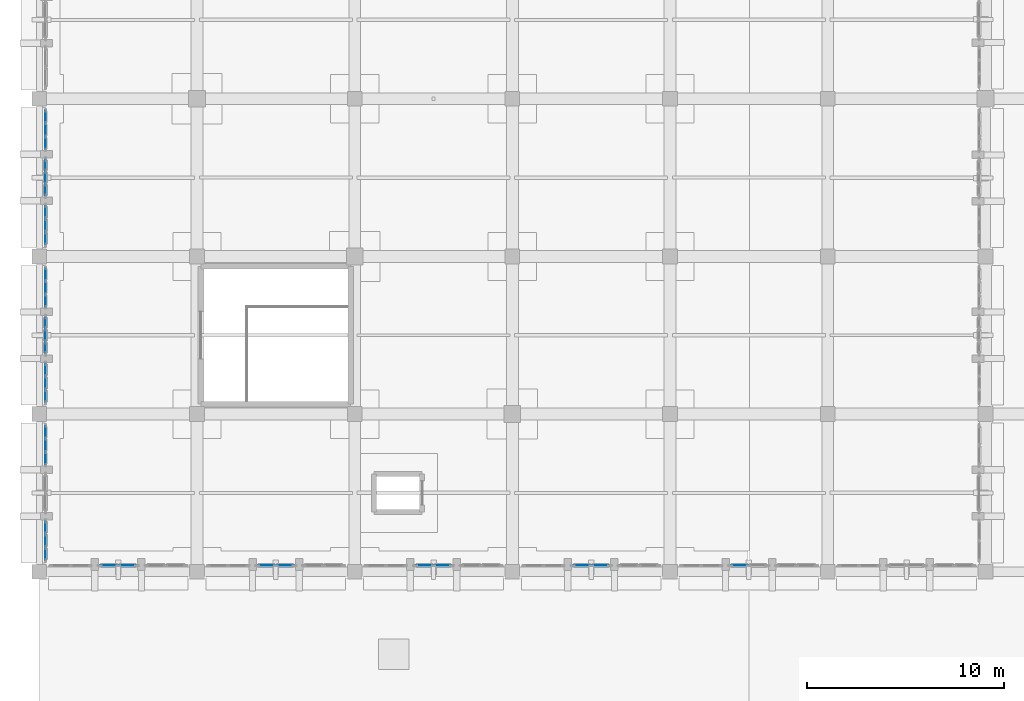
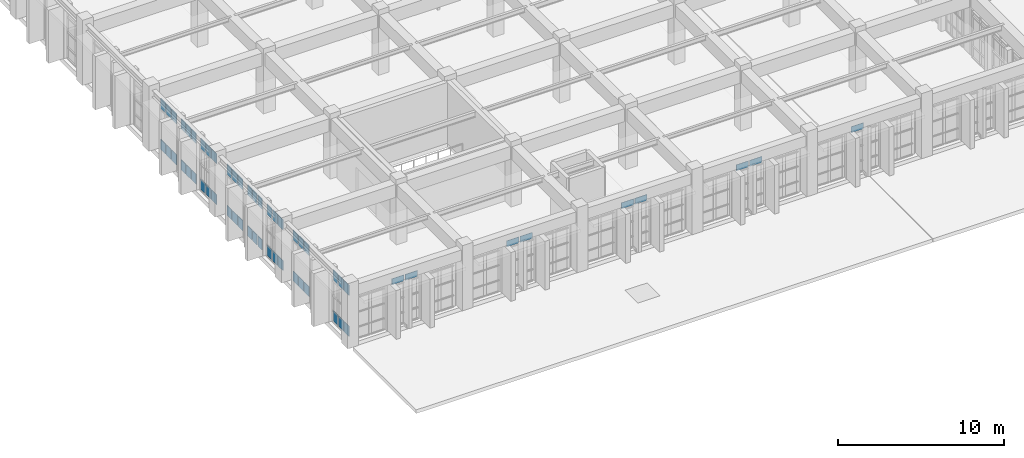
# One storey, part 118 of 155: 57 plates, 13 elements without a shape of their own.
"""IFC4 building model written with IfcOpenShell, lengths in metres."""

from ifc_helpers import new_model, si_unit, direction, frame, origin, origin_2d, place, context, subcontext, project, spatial, rectangle, extrude, material, layer, layer_set, type_object, element, aggregate, save


model = new_model("IFC4")

# Units and contexts
model_context = context("Model", 3, precision=1e-05, world=origin(), true_north=direction((0.0, 1.0)))
body_context = subcontext(model_context, "Body", "Model", "MODEL_VIEW")
ifc_project = project(units=[si_unit("LENGTHUNIT", "METRE"), si_unit("AREAUNIT", "SQUARE_METRE"), si_unit("VOLUMEUNIT", "CUBIC_METRE"), si_unit("PLANEANGLEUNIT", "RADIAN"), si_unit("MASSUNIT", "GRAM", prefix="KILO")], contexts=[model_context])

# Site, building, storey
site_placement = place(None, origin())
site = spatial("IfcSite", under=ifc_project, at=site_placement, CompositionType="ELEMENT")
building_placement = place(site_placement, origin())
building = spatial("IfcBuilding", under=site, at=building_placement, Name="Tazarka Park Arena", CompositionType="ELEMENT")
storey_placement = place(building_placement, frame((0.0, 0.0, 5.39990234375)))
storey = spatial("IfcBuildingStorey", under=building, at=storey_placement, Name="L01", CompositionType="ELEMENT", Elevation=5.39990234375)

# Curtain wall, plates
ifc_material_1 = material(Name="Aluminium and low-e glass", Category="aluminium")
ifc_layer_1 = layer(ifc_material_1, 0.179931640625, Name="Aluminium and low-e glass")
ifc_layer_set_1 = layer_set([ifc_layer_1], Name="Aluminium and low-e glass")
curtain_wall_type_1 = type_object("IfcCurtainWallType", Name="CW-03", PredefinedType="NOTDEFINED", material=ifc_layer_set_1)
curtain_wall_1_placement = place(storey_placement, origin())
curtain_wall_1 = element("IfcCurtainWall", 1, at=curtain_wall_1_placement, inside=storey, type_object=curtain_wall_type_1, Name="Curtain Wall CWA-L01-063", PredefinedType="NOTDEFINED")
ifc_material_2 = material(Name="Double low-e insulated glazing", Category="glass")
ifc_layer_2 = layer(ifc_material_2, 0.028076171875, Name="Double low-e insulated glazing")
ifc_layer_set_2 = layer_set([ifc_layer_2], Name="Double low-e insulated glazing")
plate_type_1 = type_object("IfcPlateType", Name="CWP-01", PredefinedType="CURTAIN_PANEL", material=ifc_layer_set_2)
plate_1_placement = place(storey_placement, frame((0.320068359375, 29.750244140625, 0.065185546875), z_axis=(0.0, 0.0, 1.0), x_axis=(0.0, 1.0, 0.0)))
plate_1 = element("IfcPlate", 2, at=plate_1_placement, type_object=plate_type_1, Name="CW-03 panel 1.1", PredefinedType="CURTAIN_PANEL", context=body_context, shape_type="SweptSolid", body=[
    extrude(rectangle(XDim=0.5869140625, YDim=0.028076171875, at=origin_2d()), origin(), (0.0, 0.0, 1.0), 0.75244140625),
])
plate_2_placement = place(storey_placement, frame((0.320068359375, 29.750244140625, 3.08251953125), z_axis=(0.0, 0.0, 1.0), x_axis=(0.0, 1.0, 0.0)))
plate_2 = element("IfcPlate", 3, at=plate_2_placement, type_object=plate_type_1, Name="CW-03 panel 1.4", PredefinedType="CURTAIN_PANEL", context=body_context, shape_type="SweptSolid", body=[
    extrude(rectangle(XDim=0.5869140625, YDim=0.028076171875, at=origin_2d()), origin(), (0.0, 0.0, 1.0), 0.762451171875),
])
plate_3_placement = place(storey_placement, frame((0.320068359375, 30.41845703125, 0.065185546875), z_axis=(0.0, 0.0, 1.0), x_axis=(0.0, 1.0, 0.0)))
plate_3 = element("IfcPlate", 4, at=plate_3_placement, type_object=plate_type_1, Name="CW-03 panel 2.1", PredefinedType="CURTAIN_PANEL", context=body_context, shape_type="SweptSolid", body=[
    extrude(rectangle(XDim=0.619384765625, YDim=0.028076171875, at=origin_2d()), origin(), (0.0, 0.0, 1.0), 0.75244140625),
])
plate_4_placement = place(storey_placement, frame((0.320068359375, 30.41845703125, 3.08251953125), z_axis=(0.0, 0.0, 1.0), x_axis=(0.0, 1.0, 0.0)))
plate_4 = element("IfcPlate", 5, at=plate_4_placement, type_object=plate_type_1, Name="CW-03 panel 2.4", PredefinedType="CURTAIN_PANEL", context=body_context, shape_type="SweptSolid", body=[
    extrude(rectangle(XDim=0.619384765625, YDim=0.028076171875, at=origin_2d()), origin(), (0.0, 0.0, 1.0), 0.762451171875),
])
plate_5_placement = place(storey_placement, frame((0.320068359375, 31.08642578125, 0.065185546875), z_axis=(0.0, 0.0, 1.0), x_axis=(0.0, 1.0, 0.0)))
plate_5 = element("IfcPlate", 6, at=plate_5_placement, type_object=plate_type_1, Name="CW-03 panel 3.1", PredefinedType="CURTAIN_PANEL", context=body_context, shape_type="SweptSolid", body=[
    extrude(rectangle(XDim=0.5869140625, YDim=0.028076171875, at=origin_2d()), origin(), (0.0, 0.0, 1.0), 0.75244140625),
])
plate_6_placement = place(storey_placement, frame((0.320068359375, 31.08642578125, 3.08251953125), z_axis=(0.0, 0.0, 1.0), x_axis=(0.0, 1.0, 0.0)))
plate_6 = element("IfcPlate", 7, at=plate_6_placement, type_object=plate_type_1, Name="CW-03 panel 3.4", PredefinedType="CURTAIN_PANEL", context=body_context, shape_type="SweptSolid", body=[
    extrude(rectangle(XDim=0.5869140625, YDim=0.028076171875, at=origin_2d()), origin(), (0.0, 0.0, 1.0), 0.762451171875),
])
aggregate(curtain_wall_1, [plate_1, plate_2, plate_3, plate_4, plate_5, plate_6])

ifc_material_3 = material(Name="Aluminium and low-e glass", Category="aluminium")
ifc_layer_3 = layer(ifc_material_3, 0.179931640625, Name="Aluminium and low-e glass")
ifc_layer_set_3 = layer_set([ifc_layer_3], Name="Aluminium and low-e glass")
curtain_wall_type_2 = type_object("IfcCurtainWallType", Name="CW-06", PredefinedType="NOTDEFINED", material=ifc_layer_set_3)
curtain_wall_2_placement = place(storey_placement, origin())
curtain_wall_2 = element("IfcCurtainWall", 8, at=curtain_wall_2_placement, inside=storey, type_object=curtain_wall_type_2, Name="Curtain Wall CWA-L01-066", PredefinedType="NOTDEFINED")
plate_7_placement = place(storey_placement, frame((0.320068359375, 21.750244140625, 0.065185546875), z_axis=(0.0, 0.0, 1.0), x_axis=(0.0, 1.0, 0.0)))
plate_7 = element("IfcPlate", 9, at=plate_7_placement, type_object=plate_type_1, Name="CW-06 panel 1.1", PredefinedType="CURTAIN_PANEL", context=body_context, shape_type="SweptSolid", body=[
    extrude(rectangle(XDim=0.5869140625, YDim=0.028076171875, at=origin_2d()), origin(), (0.0, 0.0, 1.0), 0.75244140625),
])
plate_8_placement = place(storey_placement, frame((0.320068359375, 21.750244140625, 3.08251953125), z_axis=(0.0, 0.0, 1.0), x_axis=(0.0, 1.0, 0.0)))
plate_8 = element("IfcPlate", 10, at=plate_8_placement, type_object=plate_type_1, Name="CW-06 panel 1.4", PredefinedType="CURTAIN_PANEL", context=body_context, shape_type="SweptSolid", body=[
    extrude(rectangle(XDim=0.5869140625, YDim=0.028076171875, at=origin_2d()), origin(), (0.0, 0.0, 1.0), 0.762451171875),
])
plate_9_placement = place(storey_placement, frame((0.320068359375, 22.41845703125, 0.065185546875), z_axis=(0.0, 0.0, 1.0), x_axis=(0.0, 1.0, 0.0)))
plate_9 = element("IfcPlate", 11, at=plate_9_placement, type_object=plate_type_1, Name="CW-06 panel 2.1", PredefinedType="CURTAIN_PANEL", context=body_context, shape_type="SweptSolid", body=[
    extrude(rectangle(XDim=0.619384765625, YDim=0.028076171875, at=origin_2d()), origin(), (0.0, 0.0, 1.0), 0.75244140625),
])
plate_10_placement = place(storey_placement, frame((0.320068359375, 22.41845703125, 3.08251953125), z_axis=(0.0, 0.0, 1.0), x_axis=(0.0, 1.0, 0.0)))
plate_10 = element("IfcPlate", 12, at=plate_10_placement, type_object=plate_type_1, Name="CW-06 panel 2.4", PredefinedType="CURTAIN_PANEL", context=body_context, shape_type="SweptSolid", body=[
    extrude(rectangle(XDim=0.619384765625, YDim=0.028076171875, at=origin_2d()), origin(), (0.0, 0.0, 1.0), 0.762451171875),
])
plate_11_placement = place(storey_placement, frame((0.320068359375, 23.08642578125, 0.065185546875), z_axis=(0.0, 0.0, 1.0), x_axis=(0.0, 1.0, 0.0)))
plate_11 = element("IfcPlate", 13, at=plate_11_placement, type_object=plate_type_1, Name="CW-06 panel 3.1", PredefinedType="CURTAIN_PANEL", context=body_context, shape_type="SweptSolid", body=[
    extrude(rectangle(XDim=0.5869140625, YDim=0.028076171875, at=origin_2d()), origin(), (0.0, 0.0, 1.0), 0.75244140625),
])
plate_12_placement = place(storey_placement, frame((0.320068359375, 23.08642578125, 3.08251953125), z_axis=(0.0, 0.0, 1.0), x_axis=(0.0, 1.0, 0.0)))
plate_12 = element("IfcPlate", 14, at=plate_12_placement, type_object=plate_type_1, Name="CW-06 panel 3.4", PredefinedType="CURTAIN_PANEL", context=body_context, shape_type="SweptSolid", body=[
    extrude(rectangle(XDim=0.5869140625, YDim=0.028076171875, at=origin_2d()), origin(), (0.0, 0.0, 1.0), 0.762451171875),
])
aggregate(curtain_wall_2, [plate_7, plate_8, plate_9, plate_10, plate_11, plate_12])

ifc_material_4 = material(Name="Aluminium and low-e glass", Category="aluminium")
ifc_layer_4 = layer(ifc_material_4, 0.179931640625, Name="Aluminium and low-e glass")
ifc_layer_set_4 = layer_set([ifc_layer_4], Name="Aluminium and low-e glass")
curtain_wall_type_3 = type_object("IfcCurtainWallType", Name="CW-09", PredefinedType="NOTDEFINED", material=ifc_layer_set_4)
curtain_wall_3_placement = place(storey_placement, origin())
curtain_wall_3 = element("IfcCurtainWall", 15, at=curtain_wall_3_placement, inside=storey, type_object=curtain_wall_type_3, Name="Curtain Wall CWA-L01-069", PredefinedType="NOTDEFINED")
plate_13_placement = place(storey_placement, frame((0.320068359375, 13.750244140625, 0.065185546875), z_axis=(0.0, 0.0, 1.0), x_axis=(0.0, 1.0, 0.0)))
plate_13 = element("IfcPlate", 16, at=plate_13_placement, type_object=plate_type_1, Name="CW-09 panel 1.1", PredefinedType="CURTAIN_PANEL", context=body_context, shape_type="SweptSolid", body=[
    extrude(rectangle(XDim=0.5869140625, YDim=0.028076171875, at=origin_2d()), origin(), (0.0, 0.0, 1.0), 0.75244140625),
])
plate_14_placement = place(storey_placement, frame((0.320068359375, 13.750244140625, 3.08251953125), z_axis=(0.0, 0.0, 1.0), x_axis=(0.0, 1.0, 0.0)))
plate_14 = element("IfcPlate", 17, at=plate_14_placement, type_object=plate_type_1, Name="CW-09 panel 1.4", PredefinedType="CURTAIN_PANEL", context=body_context, shape_type="SweptSolid", body=[
    extrude(rectangle(XDim=0.5869140625, YDim=0.028076171875, at=origin_2d()), origin(), (0.0, 0.0, 1.0), 0.762451171875),
])
plate_15_placement = place(storey_placement, frame((0.320068359375, 14.41845703125, 0.065185546875), z_axis=(0.0, 0.0, 1.0), x_axis=(0.0, 1.0, 0.0)))
plate_15 = element("IfcPlate", 18, at=plate_15_placement, type_object=plate_type_1, Name="CW-09 panel 2.1", PredefinedType="CURTAIN_PANEL", context=body_context, shape_type="SweptSolid", body=[
    extrude(rectangle(XDim=0.619384765625, YDim=0.028076171875, at=origin_2d()), origin(), (0.0, 0.0, 1.0), 0.75244140625),
])
plate_16_placement = place(storey_placement, frame((0.320068359375, 14.41845703125, 3.08251953125), z_axis=(0.0, 0.0, 1.0), x_axis=(0.0, 1.0, 0.0)))
plate_16 = element("IfcPlate", 19, at=plate_16_placement, type_object=plate_type_1, Name="CW-09 panel 2.4", PredefinedType="CURTAIN_PANEL", context=body_context, shape_type="SweptSolid", body=[
    extrude(rectangle(XDim=0.619384765625, YDim=0.028076171875, at=origin_2d()), origin(), (0.0, 0.0, 1.0), 0.762451171875),
])
plate_17_placement = place(storey_placement, frame((0.320068359375, 15.08642578125, 0.065185546875), z_axis=(0.0, 0.0, 1.0), x_axis=(0.0, 1.0, 0.0)))
plate_17 = element("IfcPlate", 20, at=plate_17_placement, type_object=plate_type_1, Name="CW-09 panel 3.1", PredefinedType="CURTAIN_PANEL", context=body_context, shape_type="SweptSolid", body=[
    extrude(rectangle(XDim=0.5869140625, YDim=0.028076171875, at=origin_2d()), origin(), (0.0, 0.0, 1.0), 0.75244140625),
])
plate_18_placement = place(storey_placement, frame((0.320068359375, 15.08642578125, 3.08251953125), z_axis=(0.0, 0.0, 1.0), x_axis=(0.0, 1.0, 0.0)))
plate_18 = element("IfcPlate", 21, at=plate_18_placement, type_object=plate_type_1, Name="CW-09 panel 3.4", PredefinedType="CURTAIN_PANEL", context=body_context, shape_type="SweptSolid", body=[
    extrude(rectangle(XDim=0.5869140625, YDim=0.028076171875, at=origin_2d()), origin(), (0.0, 0.0, 1.0), 0.762451171875),
])
aggregate(curtain_wall_3, [plate_13, plate_14, plate_15, plate_16, plate_17, plate_18])

ifc_material_5 = material(Name="Aluminium and low-e glass", Category="aluminium")
ifc_layer_5 = layer(ifc_material_5, 0.179931640625, Name="Aluminium and low-e glass")
ifc_layer_set_5 = layer_set([ifc_layer_5], Name="Aluminium and low-e glass")
curtain_wall_type_4 = type_object("IfcCurtainWallType", Name="CW-01", PredefinedType="NOTDEFINED", material=ifc_layer_set_5)
curtain_wall_4_placement = place(storey_placement, origin())
curtain_wall_4 = element("IfcCurtainWall", 22, at=curtain_wall_4_placement, inside=storey, type_object=curtain_wall_type_4, Name="Curtain Wall CWA-L01-061", PredefinedType="NOTDEFINED")
ifc_material_6 = material(Name="Triple acoustic solar glazing", Category="glass")
ifc_layer_6 = layer(ifc_material_6, 0.031982421875, Name="Triple acoustic solar glazing")
ifc_layer_set_6 = layer_set([ifc_layer_6], Name="Triple acoustic solar glazing")
plate_type_2 = type_object("IfcPlateType", Name="CWP-02", PredefinedType="CURTAIN_PANEL", material=ifc_layer_set_6)
plate_19_placement = place(storey_placement, frame((0.320068359375, 24.91357421875, 0.065185546875), z_axis=(0.0, 0.0, 1.0), x_axis=(0.0, 1.0, 0.0)))
plate_19 = element("IfcPlate", 23, at=plate_19_placement, type_object=plate_type_2, Name="CW-01 panel 1.1", PredefinedType="CURTAIN_PANEL", context=body_context, shape_type="SweptSolid", body=[
    extrude(rectangle(XDim=0.5869140625, YDim=0.031982421875, at=origin_2d()), origin(), (0.0, 0.0, 1.0), 0.75244140625),
])
plate_20_placement = place(storey_placement, frame((0.320068359375, 24.91357421875, 3.08251953125), z_axis=(0.0, 0.0, 1.0), x_axis=(0.0, 1.0, 0.0)))
plate_20 = element("IfcPlate", 24, at=plate_20_placement, type_object=plate_type_2, Name="CW-01 panel 1.4", PredefinedType="CURTAIN_PANEL", context=body_context, shape_type="SweptSolid", body=[
    extrude(rectangle(XDim=0.5869140625, YDim=0.031982421875, at=origin_2d()), origin(), (0.0, 0.0, 1.0), 0.762451171875),
])
plate_21_placement = place(storey_placement, frame((0.320068359375, 25.58154296875, 0.065185546875), z_axis=(0.0, 0.0, 1.0), x_axis=(0.0, 1.0, 0.0)))
plate_21 = element("IfcPlate", 25, at=plate_21_placement, type_object=plate_type_2, Name="CW-01 panel 2.1", PredefinedType="CURTAIN_PANEL", context=body_context, shape_type="SweptSolid", body=[
    extrude(rectangle(XDim=0.619384765625, YDim=0.031982421875, at=origin_2d()), origin(), (0.0, 0.0, 1.0), 0.75244140625),
])
plate_22_placement = place(storey_placement, frame((0.320068359375, 25.58154296875, 3.08251953125), z_axis=(0.0, 0.0, 1.0), x_axis=(0.0, 1.0, 0.0)))
plate_22 = element("IfcPlate", 26, at=plate_22_placement, type_object=plate_type_2, Name="CW-01 panel 2.4", PredefinedType="CURTAIN_PANEL", context=body_context, shape_type="SweptSolid", body=[
    extrude(rectangle(XDim=0.619384765625, YDim=0.031982421875, at=origin_2d()), origin(), (0.0, 0.0, 1.0), 0.762451171875),
])
plate_23_placement = place(storey_placement, frame((0.320068359375, 26.249755859375, 0.065185546875), z_axis=(0.0, 0.0, 1.0), x_axis=(0.0, 1.0, 0.0)))
plate_23 = element("IfcPlate", 27, at=plate_23_placement, type_object=plate_type_2, Name="CW-01 panel 3.1", PredefinedType="CURTAIN_PANEL", context=body_context, shape_type="SweptSolid", body=[
    extrude(rectangle(XDim=0.5869140625, YDim=0.031982421875, at=origin_2d()), origin(), (0.0, 0.0, 1.0), 0.75244140625),
])
plate_24_placement = place(storey_placement, frame((0.320068359375, 26.249755859375, 3.08251953125), z_axis=(0.0, 0.0, 1.0), x_axis=(0.0, 1.0, 0.0)))
plate_24 = element("IfcPlate", 28, at=plate_24_placement, type_object=plate_type_2, Name="CW-01 panel 3.4", PredefinedType="CURTAIN_PANEL", context=body_context, shape_type="SweptSolid", body=[
    extrude(rectangle(XDim=0.5869140625, YDim=0.031982421875, at=origin_2d()), origin(), (0.0, 0.0, 1.0), 0.762451171875),
])
aggregate(curtain_wall_4, [plate_19, plate_20, plate_21, plate_22, plate_23, plate_24])

ifc_material_7 = material(Name="Aluminium and low-e glass", Category="aluminium")
ifc_layer_7 = layer(ifc_material_7, 0.179931640625, Name="Aluminium and low-e glass")
ifc_layer_set_7 = layer_set([ifc_layer_7], Name="Aluminium and low-e glass")
curtain_wall_type_5 = type_object("IfcCurtainWallType", Name="CW-04", PredefinedType="NOTDEFINED", material=ifc_layer_set_7)
curtain_wall_5_placement = place(storey_placement, origin())
curtain_wall_5 = element("IfcCurtainWall", 29, at=curtain_wall_5_placement, inside=storey, type_object=curtain_wall_type_5, Name="Curtain Wall CWA-L01-064", PredefinedType="NOTDEFINED")
plate_25_placement = place(storey_placement, frame((0.320068359375, 16.91357421875, 0.065185546875), z_axis=(0.0, 0.0, 1.0), x_axis=(0.0, 1.0, 0.0)))
plate_25 = element("IfcPlate", 30, at=plate_25_placement, type_object=plate_type_2, Name="CW-04 panel 1.1", PredefinedType="CURTAIN_PANEL", context=body_context, shape_type="SweptSolid", body=[
    extrude(rectangle(XDim=0.5869140625, YDim=0.031982421875, at=origin_2d()), origin(), (0.0, 0.0, 1.0), 0.75244140625),
])
plate_26_placement = place(storey_placement, frame((0.320068359375, 16.91357421875, 3.08251953125), z_axis=(0.0, 0.0, 1.0), x_axis=(0.0, 1.0, 0.0)))
plate_26 = element("IfcPlate", 31, at=plate_26_placement, type_object=plate_type_2, Name="CW-04 panel 1.4", PredefinedType="CURTAIN_PANEL", context=body_context, shape_type="SweptSolid", body=[
    extrude(rectangle(XDim=0.5869140625, YDim=0.031982421875, at=origin_2d()), origin(), (0.0, 0.0, 1.0), 0.762451171875),
])
plate_27_placement = place(storey_placement, frame((0.320068359375, 17.58154296875, 0.065185546875), z_axis=(0.0, 0.0, 1.0), x_axis=(0.0, 1.0, 0.0)))
plate_27 = element("IfcPlate", 32, at=plate_27_placement, type_object=plate_type_2, Name="CW-04 panel 2.1", PredefinedType="CURTAIN_PANEL", context=body_context, shape_type="SweptSolid", body=[
    extrude(rectangle(XDim=0.619384765625, YDim=0.031982421875, at=origin_2d()), origin(), (0.0, 0.0, 1.0), 0.75244140625),
])
plate_28_placement = place(storey_placement, frame((0.320068359375, 17.58154296875, 3.08251953125), z_axis=(0.0, 0.0, 1.0), x_axis=(0.0, 1.0, 0.0)))
plate_28 = element("IfcPlate", 33, at=plate_28_placement, type_object=plate_type_2, Name="CW-04 panel 2.4", PredefinedType="CURTAIN_PANEL", context=body_context, shape_type="SweptSolid", body=[
    extrude(rectangle(XDim=0.619384765625, YDim=0.031982421875, at=origin_2d()), origin(), (0.0, 0.0, 1.0), 0.762451171875),
])
plate_29_placement = place(storey_placement, frame((0.320068359375, 18.249755859375, 0.065185546875), z_axis=(0.0, 0.0, 1.0), x_axis=(0.0, 1.0, 0.0)))
plate_29 = element("IfcPlate", 34, at=plate_29_placement, type_object=plate_type_2, Name="CW-04 panel 3.1", PredefinedType="CURTAIN_PANEL", context=body_context, shape_type="SweptSolid", body=[
    extrude(rectangle(XDim=0.5869140625, YDim=0.031982421875, at=origin_2d()), origin(), (0.0, 0.0, 1.0), 0.75244140625),
])
plate_30_placement = place(storey_placement, frame((0.320068359375, 18.249755859375, 3.08251953125), z_axis=(0.0, 0.0, 1.0), x_axis=(0.0, 1.0, 0.0)))
plate_30 = element("IfcPlate", 35, at=plate_30_placement, type_object=plate_type_2, Name="CW-04 panel 3.4", PredefinedType="CURTAIN_PANEL", context=body_context, shape_type="SweptSolid", body=[
    extrude(rectangle(XDim=0.5869140625, YDim=0.031982421875, at=origin_2d()), origin(), (0.0, 0.0, 1.0), 0.762451171875),
])
aggregate(curtain_wall_5, [plate_25, plate_26, plate_27, plate_28, plate_29, plate_30])

ifc_material_8 = material(Name="Aluminium and low-e glass", Category="aluminium")
ifc_layer_8 = layer(ifc_material_8, 0.179931640625, Name="Aluminium and low-e glass")
ifc_layer_set_8 = layer_set([ifc_layer_8], Name="Aluminium and low-e glass")
curtain_wall_type_6 = type_object("IfcCurtainWallType", Name="CW-07", PredefinedType="NOTDEFINED", material=ifc_layer_set_8)
curtain_wall_6_placement = place(storey_placement, origin())
curtain_wall_6 = element("IfcCurtainWall", 36, at=curtain_wall_6_placement, inside=storey, type_object=curtain_wall_type_6, Name="Curtain Wall CWA-L01-067", PredefinedType="NOTDEFINED")
plate_31_placement = place(storey_placement, frame((0.320068359375, 8.91357421875, 0.065185546875), z_axis=(0.0, 0.0, 1.0), x_axis=(0.0, 1.0, 0.0)))
plate_31 = element("IfcPlate", 37, at=plate_31_placement, type_object=plate_type_2, Name="CW-07 panel 1.1", PredefinedType="CURTAIN_PANEL", context=body_context, shape_type="SweptSolid", body=[
    extrude(rectangle(XDim=0.5869140625, YDim=0.031982421875, at=origin_2d()), origin(), (0.0, 0.0, 1.0), 0.75244140625),
])
plate_32_placement = place(storey_placement, frame((0.320068359375, 8.91357421875, 3.08251953125), z_axis=(0.0, 0.0, 1.0), x_axis=(0.0, 1.0, 0.0)))
plate_32 = element("IfcPlate", 38, at=plate_32_placement, type_object=plate_type_2, Name="CW-07 panel 1.4", PredefinedType="CURTAIN_PANEL", context=body_context, shape_type="SweptSolid", body=[
    extrude(rectangle(XDim=0.5869140625, YDim=0.031982421875, at=origin_2d()), origin(), (0.0, 0.0, 1.0), 0.762451171875),
])
plate_33_placement = place(storey_placement, frame((0.320068359375, 9.58154296875, 0.065185546875), z_axis=(0.0, 0.0, 1.0), x_axis=(0.0, 1.0, 0.0)))
plate_33 = element("IfcPlate", 39, at=plate_33_placement, type_object=plate_type_2, Name="CW-07 panel 2.1", PredefinedType="CURTAIN_PANEL", context=body_context, shape_type="SweptSolid", body=[
    extrude(rectangle(XDim=0.619384765625, YDim=0.031982421875, at=origin_2d()), origin(), (0.0, 0.0, 1.0), 0.75244140625),
])
plate_34_placement = place(storey_placement, frame((0.320068359375, 9.58154296875, 3.08251953125), z_axis=(0.0, 0.0, 1.0), x_axis=(0.0, 1.0, 0.0)))
plate_34 = element("IfcPlate", 40, at=plate_34_placement, type_object=plate_type_2, Name="CW-07 panel 2.4", PredefinedType="CURTAIN_PANEL", context=body_context, shape_type="SweptSolid", body=[
    extrude(rectangle(XDim=0.619384765625, YDim=0.031982421875, at=origin_2d()), origin(), (0.0, 0.0, 1.0), 0.762451171875),
])
plate_35_placement = place(storey_placement, frame((0.320068359375, 10.249755859375, 0.065185546875), z_axis=(0.0, 0.0, 1.0), x_axis=(0.0, 1.0, 0.0)))
plate_35 = element("IfcPlate", 41, at=plate_35_placement, type_object=plate_type_2, Name="CW-07 panel 3.1", PredefinedType="CURTAIN_PANEL", context=body_context, shape_type="SweptSolid", body=[
    extrude(rectangle(XDim=0.5869140625, YDim=0.031982421875, at=origin_2d()), origin(), (0.0, 0.0, 1.0), 0.75244140625),
])
plate_36_placement = place(storey_placement, frame((0.320068359375, 10.249755859375, 3.08251953125), z_axis=(0.0, 0.0, 1.0), x_axis=(0.0, 1.0, 0.0)))
plate_36 = element("IfcPlate", 42, at=plate_36_placement, type_object=plate_type_2, Name="CW-07 panel 3.4", PredefinedType="CURTAIN_PANEL", context=body_context, shape_type="SweptSolid", body=[
    extrude(rectangle(XDim=0.5869140625, YDim=0.031982421875, at=origin_2d()), origin(), (0.0, 0.0, 1.0), 0.762451171875),
])
aggregate(curtain_wall_6, [plate_31, plate_32, plate_33, plate_34, plate_35, plate_36])

ifc_material_9 = material(Name="Aluminium and low-e glass", Category="aluminium")
ifc_layer_9 = layer(ifc_material_9, 0.179931640625, Name="Aluminium and low-e glass")
ifc_layer_set_9 = layer_set([ifc_layer_9], Name="Aluminium and low-e glass")
curtain_wall_type_7 = type_object("IfcCurtainWallType", Name="CW-02", PredefinedType="NOTDEFINED", material=ifc_layer_set_9)
curtain_wall_7_placement = place(storey_placement, origin())
curtain_wall_7 = element("IfcCurtainWall", 43, at=curtain_wall_7_placement, inside=storey, type_object=curtain_wall_type_7, Name="Curtain Wall CWA-L01-062", PredefinedType="NOTDEFINED")
ifc_material_10 = material(Name="Insulated aluminium spandrel panel", Category="aluminium")
ifc_layer_10 = layer(ifc_material_10, 0.035888671875, Name="Insulated aluminium spandrel panel")
ifc_layer_set_10 = layer_set([ifc_layer_10], Name="Insulated aluminium spandrel panel")
plate_type_3 = type_object("IfcPlateType", Name="CWP-03", PredefinedType="CURTAIN_PANEL", material=ifc_layer_set_10)
plate_37_placement = place(storey_placement, frame((0.320068359375, 27.370849609375, 0.0751953125), z_axis=(0.0, 0.0, 1.0), x_axis=(0.0, 1.0, 0.0)))
plate_37 = element("IfcPlate", 44, at=plate_37_placement, type_object=plate_type_3, Name="CW-02 panel 1.1", PredefinedType="CURTAIN_PANEL", context=body_context, shape_type="SweptSolid", body=[
    extrude(rectangle(XDim=0.535400390625, YDim=0.035888671875, at=origin_2d()), origin(), (0.0, 0.0, 1.0), 0.737548828125),
])
plate_38_placement = place(storey_placement, frame((0.320068359375, 27.370849609375, 3.087646484375), z_axis=(0.0, 0.0, 1.0), x_axis=(0.0, 1.0, 0.0)))
plate_38 = element("IfcPlate", 45, at=plate_38_placement, type_object=plate_type_3, Name="CW-02 panel 1.4", PredefinedType="CURTAIN_PANEL", context=body_context, shape_type="SweptSolid", body=[
    extrude(rectangle(XDim=0.535400390625, YDim=0.035888671875, at=origin_2d()), origin(), (0.0, 0.0, 1.0), 0.74755859375),
])
plate_39_placement = place(storey_placement, frame((0.320068359375, 28.0, 0.0751953125), z_axis=(0.0, 0.0, 1.0), x_axis=(0.0, 1.0, 0.0)))
plate_39 = element("IfcPlate", 46, at=plate_39_placement, type_object=plate_type_3, Name="CW-02 panel 2.1", PredefinedType="CURTAIN_PANEL", context=body_context, shape_type="SweptSolid", body=[
    extrude(rectangle(XDim=0.57275390625, YDim=0.035888671875, at=origin_2d()), origin(), (0.0, 0.0, 1.0), 0.737548828125),
])
plate_40_placement = place(storey_placement, frame((0.320068359375, 28.0, 3.087646484375), z_axis=(0.0, 0.0, 1.0), x_axis=(0.0, 1.0, 0.0)))
plate_40 = element("IfcPlate", 47, at=plate_40_placement, type_object=plate_type_3, Name="CW-02 panel 2.4", PredefinedType="CURTAIN_PANEL", context=body_context, shape_type="SweptSolid", body=[
    extrude(rectangle(XDim=0.57275390625, YDim=0.035888671875, at=origin_2d()), origin(), (0.0, 0.0, 1.0), 0.74755859375),
])
plate_41_placement = place(storey_placement, frame((0.320068359375, 28.629150390625, 0.0751953125), z_axis=(0.0, 0.0, 1.0), x_axis=(0.0, 1.0, 0.0)))
plate_41 = element("IfcPlate", 48, at=plate_41_placement, type_object=plate_type_3, Name="CW-02 panel 3.1", PredefinedType="CURTAIN_PANEL", context=body_context, shape_type="SweptSolid", body=[
    extrude(rectangle(XDim=0.535400390625, YDim=0.035888671875, at=origin_2d()), origin(), (0.0, 0.0, 1.0), 0.737548828125),
])
plate_42_placement = place(storey_placement, frame((0.320068359375, 28.629150390625, 3.087646484375), z_axis=(0.0, 0.0, 1.0), x_axis=(0.0, 1.0, 0.0)))
plate_42 = element("IfcPlate", 49, at=plate_42_placement, type_object=plate_type_3, Name="CW-02 panel 3.4", PredefinedType="CURTAIN_PANEL", context=body_context, shape_type="SweptSolid", body=[
    extrude(rectangle(XDim=0.535400390625, YDim=0.035888671875, at=origin_2d()), origin(), (0.0, 0.0, 1.0), 0.74755859375),
])
aggregate(curtain_wall_7, [plate_37, plate_38, plate_39, plate_40, plate_41, plate_42])

ifc_material_11 = material(Name="Aluminium and low-e glass", Category="aluminium")
ifc_layer_11 = layer(ifc_material_11, 0.179931640625, Name="Aluminium and low-e glass")
ifc_layer_set_11 = layer_set([ifc_layer_11], Name="Aluminium and low-e glass")
curtain_wall_type_8 = type_object("IfcCurtainWallType", Name="CW-05", PredefinedType="NOTDEFINED", material=ifc_layer_set_11)
curtain_wall_8_placement = place(storey_placement, origin())
curtain_wall_8 = element("IfcCurtainWall", 50, at=curtain_wall_8_placement, inside=storey, type_object=curtain_wall_type_8, Name="Curtain Wall CWA-L01-065", PredefinedType="NOTDEFINED")
plate_43_placement = place(storey_placement, frame((0.320068359375, 19.370849609375, 0.0751953125), z_axis=(0.0, 0.0, 1.0), x_axis=(0.0, 1.0, 0.0)))
plate_43 = element("IfcPlate", 51, at=plate_43_placement, type_object=plate_type_3, Name="CW-05 panel 1.1", PredefinedType="CURTAIN_PANEL", context=body_context, shape_type="SweptSolid", body=[
    extrude(rectangle(XDim=0.535400390625, YDim=0.035888671875, at=origin_2d()), origin(), (0.0, 0.0, 1.0), 0.737548828125),
])
plate_44_placement = place(storey_placement, frame((0.320068359375, 19.370849609375, 3.087646484375), z_axis=(0.0, 0.0, 1.0), x_axis=(0.0, 1.0, 0.0)))
plate_44 = element("IfcPlate", 52, at=plate_44_placement, type_object=plate_type_3, Name="CW-05 panel 1.4", PredefinedType="CURTAIN_PANEL", context=body_context, shape_type="SweptSolid", body=[
    extrude(rectangle(XDim=0.535400390625, YDim=0.035888671875, at=origin_2d()), origin(), (0.0, 0.0, 1.0), 0.74755859375),
])
plate_45_placement = place(storey_placement, frame((0.320068359375, 20.0, 0.0751953125), z_axis=(0.0, 0.0, 1.0), x_axis=(0.0, 1.0, 0.0)))
plate_45 = element("IfcPlate", 53, at=plate_45_placement, type_object=plate_type_3, Name="CW-05 panel 2.1", PredefinedType="CURTAIN_PANEL", context=body_context, shape_type="SweptSolid", body=[
    extrude(rectangle(XDim=0.57275390625, YDim=0.035888671875, at=origin_2d()), origin(), (0.0, 0.0, 1.0), 0.737548828125),
])
plate_46_placement = place(storey_placement, frame((0.320068359375, 20.0, 3.087646484375), z_axis=(0.0, 0.0, 1.0), x_axis=(0.0, 1.0, 0.0)))
plate_46 = element("IfcPlate", 54, at=plate_46_placement, type_object=plate_type_3, Name="CW-05 panel 2.4", PredefinedType="CURTAIN_PANEL", context=body_context, shape_type="SweptSolid", body=[
    extrude(rectangle(XDim=0.57275390625, YDim=0.035888671875, at=origin_2d()), origin(), (0.0, 0.0, 1.0), 0.74755859375),
])
plate_47_placement = place(storey_placement, frame((0.320068359375, 20.629150390625, 0.0751953125), z_axis=(0.0, 0.0, 1.0), x_axis=(0.0, 1.0, 0.0)))
plate_47 = element("IfcPlate", 55, at=plate_47_placement, type_object=plate_type_3, Name="CW-05 panel 3.1", PredefinedType="CURTAIN_PANEL", context=body_context, shape_type="SweptSolid", body=[
    extrude(rectangle(XDim=0.535400390625, YDim=0.035888671875, at=origin_2d()), origin(), (0.0, 0.0, 1.0), 0.737548828125),
])
plate_48_placement = place(storey_placement, frame((0.320068359375, 20.629150390625, 3.087646484375), z_axis=(0.0, 0.0, 1.0), x_axis=(0.0, 1.0, 0.0)))
plate_48 = element("IfcPlate", 56, at=plate_48_placement, type_object=plate_type_3, Name="CW-05 panel 3.4", PredefinedType="CURTAIN_PANEL", context=body_context, shape_type="SweptSolid", body=[
    extrude(rectangle(XDim=0.535400390625, YDim=0.035888671875, at=origin_2d()), origin(), (0.0, 0.0, 1.0), 0.74755859375),
])
aggregate(curtain_wall_8, [plate_43, plate_44, plate_45, plate_46, plate_47, plate_48])

ifc_material_12 = material(Name="Aluminium and low-e glass", Category="aluminium")
ifc_layer_12 = layer(ifc_material_12, 0.179931640625, Name="Aluminium and low-e glass")
ifc_layer_set_12 = layer_set([ifc_layer_12], Name="Aluminium and low-e glass")
curtain_wall_type_9 = type_object("IfcCurtainWallType", Name="CW-11", PredefinedType="NOTDEFINED", material=ifc_layer_set_12)
curtain_wall_9_placement = place(storey_placement, origin())
curtain_wall_9 = element("IfcCurtainWall", 57, at=curtain_wall_9_placement, inside=storey, type_object=curtain_wall_type_9, Name="Curtain Wall CWA-L01-071", PredefinedType="NOTDEFINED")
plate_49_placement = place(storey_placement, frame((4.467041015625, 8.320068359375, 3.087646484375), z_axis=(0.0, 0.0, 1.0), x_axis=(-1.0, 0.0, 0.0)))
plate_49 = element("IfcPlate", 58, at=plate_49_placement, type_object=plate_type_3, Name="CW-11 panel 1.4", PredefinedType="CURTAIN_PANEL", context=body_context, shape_type="SweptSolid", body=[
    extrude(rectangle(XDim=0.859130859375, YDim=0.035888671875, at=origin_2d()), origin(), (0.0, 0.0, 1.0), 0.4375),
])
plate_50_placement = place(storey_placement, frame((3.532958984375, 8.320068359375, 3.087646484375), z_axis=(0.0, 0.0, 1.0), x_axis=(-1.0, 0.0, 0.0)))
plate_50 = element("IfcPlate", 59, at=plate_50_placement, type_object=plate_type_3, Name="CW-11 panel 2.4", PredefinedType="CURTAIN_PANEL", context=body_context, shape_type="SweptSolid", body=[
    extrude(rectangle(XDim=0.859130859375, YDim=0.035888671875, at=origin_2d()), origin(), (0.0, 0.0, 1.0), 0.4375),
])
aggregate(curtain_wall_9, [plate_49, plate_50])

ifc_material_13 = material(Name="Aluminium and low-e glass", Category="aluminium")
ifc_layer_13 = layer(ifc_material_13, 0.179931640625, Name="Aluminium and low-e glass")
ifc_layer_set_13 = layer_set([ifc_layer_13], Name="Aluminium and low-e glass")
curtain_wall_type_10 = type_object("IfcCurtainWallType", Name="CW-14", PredefinedType="NOTDEFINED", material=ifc_layer_set_13)
curtain_wall_10_placement = place(storey_placement, origin())
curtain_wall_10 = element("IfcCurtainWall", 60, at=curtain_wall_10_placement, inside=storey, type_object=curtain_wall_type_10, Name="Curtain Wall CWA-L01-074", PredefinedType="NOTDEFINED")
plate_51_placement = place(storey_placement, frame((12.467041015625, 8.320068359375, 3.087646484375), z_axis=(0.0, 0.0, 1.0), x_axis=(-1.0, 0.0, 0.0)))
plate_51 = element("IfcPlate", 61, at=plate_51_placement, type_object=plate_type_3, Name="CW-14 panel 1.4", PredefinedType="CURTAIN_PANEL", context=body_context, shape_type="SweptSolid", body=[
    extrude(rectangle(XDim=0.859130859375, YDim=0.035888671875, at=origin_2d()), origin(), (0.0, 0.0, 1.0), 0.4375),
])
plate_52_placement = place(storey_placement, frame((11.532958984375, 8.320068359375, 3.087646484375), z_axis=(0.0, 0.0, 1.0), x_axis=(-1.0, 0.0, 0.0)))
plate_52 = element("IfcPlate", 62, at=plate_52_placement, type_object=plate_type_3, Name="CW-14 panel 2.4", PredefinedType="CURTAIN_PANEL", context=body_context, shape_type="SweptSolid", body=[
    extrude(rectangle(XDim=0.859130859375, YDim=0.035888671875, at=origin_2d()), origin(), (0.0, 0.0, 1.0), 0.4375),
])
aggregate(curtain_wall_10, [plate_51, plate_52])

ifc_material_14 = material(Name="Aluminium and low-e glass", Category="aluminium")
ifc_layer_14 = layer(ifc_material_14, 0.179931640625, Name="Aluminium and low-e glass")
ifc_layer_set_14 = layer_set([ifc_layer_14], Name="Aluminium and low-e glass")
curtain_wall_type_11 = type_object("IfcCurtainWallType", Name="CW-17", PredefinedType="NOTDEFINED", material=ifc_layer_set_14)
curtain_wall_11_placement = place(storey_placement, origin())
curtain_wall_11 = element("IfcCurtainWall", 63, at=curtain_wall_11_placement, inside=storey, type_object=curtain_wall_type_11, Name="Curtain Wall CWA-L01-077", PredefinedType="NOTDEFINED")
plate_53_placement = place(storey_placement, frame((20.467041015625, 8.320068359375, 3.087646484375), z_axis=(0.0, 0.0, 1.0), x_axis=(-1.0, 0.0, 0.0)))
plate_53 = element("IfcPlate", 64, at=plate_53_placement, type_object=plate_type_3, Name="CW-17 panel 1.4", PredefinedType="CURTAIN_PANEL", context=body_context, shape_type="SweptSolid", body=[
    extrude(rectangle(XDim=0.859130859375, YDim=0.035888671875, at=origin_2d()), origin(), (0.0, 0.0, 1.0), 0.4375),
])
plate_54_placement = place(storey_placement, frame((19.532958984375, 8.320068359375, 3.087646484375), z_axis=(0.0, 0.0, 1.0), x_axis=(-1.0, 0.0, 0.0)))
plate_54 = element("IfcPlate", 65, at=plate_54_placement, type_object=plate_type_3, Name="CW-17 panel 2.4", PredefinedType="CURTAIN_PANEL", context=body_context, shape_type="SweptSolid", body=[
    extrude(rectangle(XDim=0.859130859375, YDim=0.035888671875, at=origin_2d()), origin(), (0.0, 0.0, 1.0), 0.4375),
])
aggregate(curtain_wall_11, [plate_53, plate_54])

ifc_material_15 = material(Name="Aluminium and low-e glass", Category="aluminium")
ifc_layer_15 = layer(ifc_material_15, 0.179931640625, Name="Aluminium and low-e glass")
ifc_layer_set_15 = layer_set([ifc_layer_15], Name="Aluminium and low-e glass")
curtain_wall_type_12 = type_object("IfcCurtainWallType", Name="CW-20", PredefinedType="NOTDEFINED", material=ifc_layer_set_15)
curtain_wall_12_placement = place(storey_placement, origin())
curtain_wall_12 = element("IfcCurtainWall", 66, at=curtain_wall_12_placement, inside=storey, type_object=curtain_wall_type_12, Name="Curtain Wall CWA-L01-080", PredefinedType="NOTDEFINED")
plate_55_placement = place(storey_placement, frame((28.467041015625, 8.320068359375, 3.087646484375), z_axis=(0.0, 0.0, 1.0), x_axis=(-1.0, 0.0, 0.0)))
plate_55 = element("IfcPlate", 67, at=plate_55_placement, type_object=plate_type_3, Name="CW-20 panel 1.4", PredefinedType="CURTAIN_PANEL", context=body_context, shape_type="SweptSolid", body=[
    extrude(rectangle(XDim=0.859130859375, YDim=0.035888671875, at=origin_2d()), origin(), (0.0, 0.0, 1.0), 0.4375),
])
plate_56_placement = place(storey_placement, frame((27.532958984375, 8.320068359375, 3.087646484375), z_axis=(0.0, 0.0, 1.0), x_axis=(-1.0, 0.0, 0.0)))
plate_56 = element("IfcPlate", 68, at=plate_56_placement, type_object=plate_type_3, Name="CW-20 panel 2.4", PredefinedType="CURTAIN_PANEL", context=body_context, shape_type="SweptSolid", body=[
    extrude(rectangle(XDim=0.859130859375, YDim=0.035888671875, at=origin_2d()), origin(), (0.0, 0.0, 1.0), 0.4375),
])
aggregate(curtain_wall_12, [plate_55, plate_56])

# Curtain wall, plate
ifc_material_16 = material(Name="Aluminium and low-e glass", Category="aluminium")
ifc_layer_16 = layer(ifc_material_16, 0.179931640625, Name="Aluminium and low-e glass")
ifc_layer_set_16 = layer_set([ifc_layer_16], Name="Aluminium and low-e glass")
curtain_wall_type_13 = type_object("IfcCurtainWallType", Name="CW-23", PredefinedType="NOTDEFINED", material=ifc_layer_set_16)
curtain_wall_13_placement = place(storey_placement, origin())
curtain_wall_13 = element("IfcCurtainWall", 69, at=curtain_wall_13_placement, inside=storey, type_object=curtain_wall_type_13, Name="Curtain Wall CWA-L01-083", PredefinedType="NOTDEFINED")
plate_57_placement = place(storey_placement, frame((35.532958984375, 8.320068359375, 3.087646484375), z_axis=(0.0, 0.0, 1.0), x_axis=(-1.0, 0.0, 0.0)))
plate_57 = element("IfcPlate", 70, at=plate_57_placement, type_object=plate_type_3, Name="CW-23 panel 2.4", PredefinedType="CURTAIN_PANEL", context=body_context, shape_type="SweptSolid", body=[
    extrude(rectangle(XDim=0.859130859375, YDim=0.035888671875, at=origin_2d()), origin(), (0.0, 0.0, 1.0), 0.4375),
])
aggregate(curtain_wall_13, [plate_57])

save(model, "model.ifc")
